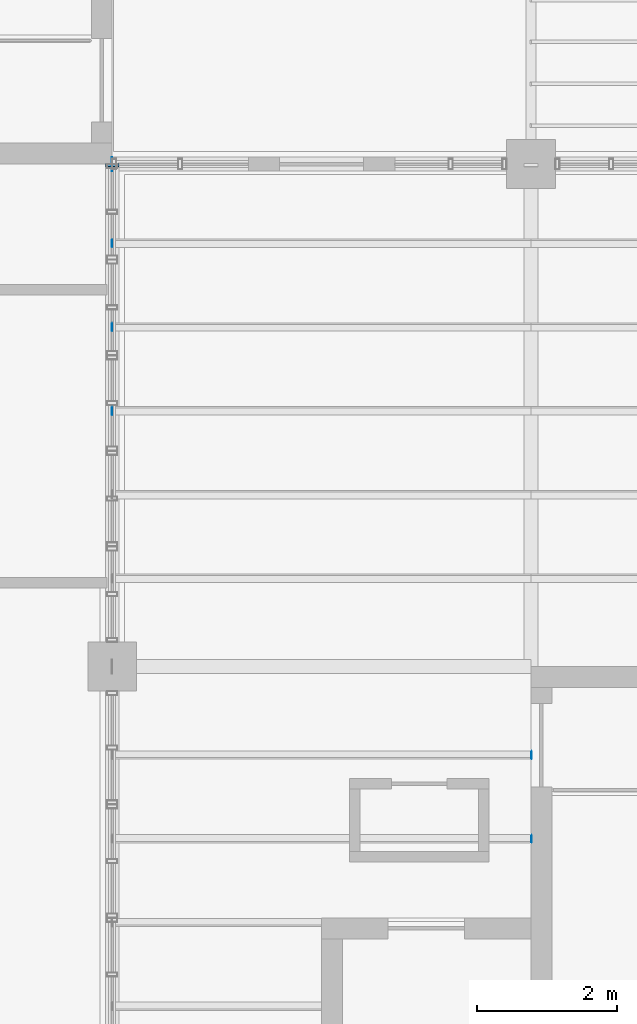
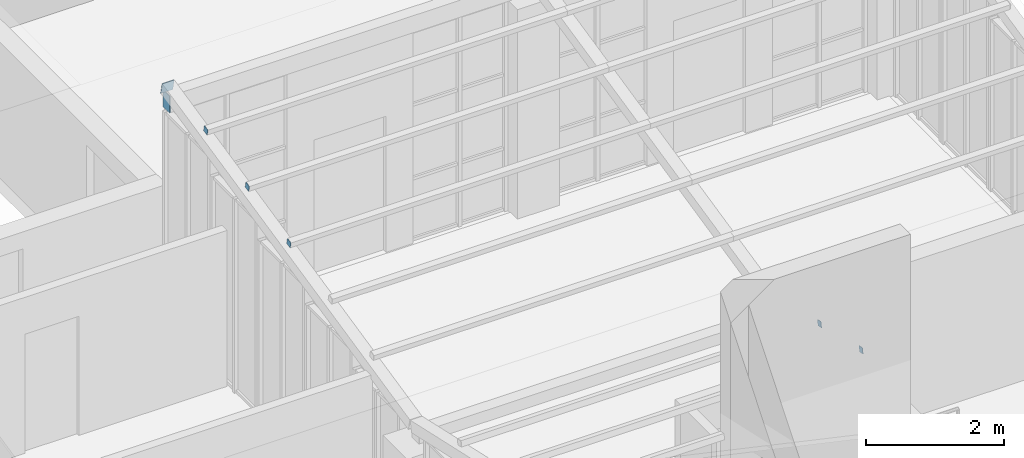
# One storey, part 43 of 51: 7 discrete accessories.
"""IFC4 building model written with IfcOpenShell, lengths in metres."""

from ifc_helpers import new_model, si_unit, direction, frame, origin, origin_2d, place, context, subcontext, project, spatial, rectangle, extrude, material, material_profile, profile_set, type_object, element, save


model = new_model("IFC4")

# Units and contexts
model_context = context("Model", 3, precision=1e-05, world=origin(), true_north=direction((0.0, 1.0)))
body_context = subcontext(model_context, "Body", "Model", "MODEL_VIEW")
ifc_project = project(units=[si_unit("LENGTHUNIT", "METRE"), si_unit("AREAUNIT", "SQUARE_METRE"), si_unit("VOLUMEUNIT", "CUBIC_METRE"), si_unit("PLANEANGLEUNIT", "RADIAN"), si_unit("MASSUNIT", "GRAM", prefix="KILO")], contexts=[model_context])

# Site, building, storey
site_placement = place(None, origin())
site = spatial("IfcSite", under=ifc_project, at=site_placement, CompositionType="ELEMENT")
building_placement = place(site_placement, origin())
building = spatial("IfcBuilding", under=site, at=building_placement, Name="Laocheng Heights Fire and Rescue Headquarters", CompositionType="ELEMENT")
storey_placement = place(building_placement, frame((0.0, 0.0, 21.0)))
storey = spatial("IfcBuildingStorey", under=building, at=storey_placement, Name="L05", CompositionType="ELEMENT", Elevation=21.0)

# Discrete accessories
ifc_material_1 = material(Name="Steel Q355B", Category="steel")
ifc_material_profile_1 = material_profile(ifc_material_1, rectangle(XDim=0.10009765625, YDim=0.10009765625, at=origin_2d()), Name="END CAP PLATE 100 x 100 x 8 FOR RHS 100x100x5 PURLIN")
ifc_profile_set_1 = profile_set([ifc_material_profile_1], Name="Steel Q355B")
discrete_accessory_type_1 = type_object("IfcDiscreteAccessoryType", Name="END CAP PLATE 100 x 100 x 8 FOR RHS 100x100x5 PURLIN", PredefinedType="BRACKET", material=ifc_profile_set_1)
for number, where, z_axis, x_axis, name in (
    (1, (95.991943359375, 46.864990234375, 3.507080078125), (1.0, 0.0, 0.0), (0.0, 0.976187089372, 0.216930326473), "Cap plate at Butterfly purlin N 3.6 end 1"),
    (2, (95.991943359375, 48.065185546875, 3.773681640625), (1.0, 0.0, 0.0), (0.0, 0.976187089372, 0.216930326473), "Cap plate at Butterfly purlin N 4.8 end 1"),
    (3, (95.991943359375, 49.26513671875, 4.04052734375), (1.0, 0.0, 0.0), (0.0, 0.976187089372, 0.216930326473), "Cap plate at Butterfly purlin N 6 end 1"),
    (4, (102.0, 41.934814453125, 2.973876953125), (1.0, 0.0, 0.0), (0.0, 0.976187089372, -0.216930326473), "Cap plate at Butterfly purlin S 1.2 end 2"),
    (5, (102.0, 40.73486328125, 3.240478515625), (1.0, 0.0, 0.0), (0.0, 0.976187089372, -0.216930326473), "Cap plate at Butterfly purlin S 2.4 end 2"),
):
    element("IfcDiscreteAccessory", number, at=place(storey_placement, frame(where, z_axis=z_axis, x_axis=x_axis)), inside=storey, type_object=discrete_accessory_type_1, Name=name, PredefinedType="BRACKET", context=body_context, shape_type="SweptSolid", body=[
        extrude(rectangle(XDim=0.10009765625, YDim=0.10009765625, at=origin_2d()), origin(), (0.0, 0.0, 1.0), 0.008056640625),
    ])
ifc_material_2 = material(Name="Steel Q355B", Category="steel")
ifc_material_profile_2 = material_profile(ifc_material_2, rectangle(XDim=0.199951171875, YDim=0.199951171875, at=origin_2d()), Name="END CAP PLATE 200 x 200 x 8 FOR SHS 200x200x8 RAFTER")
ifc_profile_set_2 = profile_set([ifc_material_profile_2], Name="Steel Q355B")
discrete_accessory_type_2 = type_object("IfcDiscreteAccessoryType", Name="END CAP PLATE 200 x 200 x 8 FOR SHS 200x200x8 RAFTER", PredefinedType="BRACKET", material=ifc_profile_set_2)
discrete_accessory_1_placement = place(storey_placement, frame((96.0, 50.385986328125, 4.135986328125), z_axis=(0.0, -0.975441002068, -0.220260871435), x_axis=(1.0, 0.0, 0.0)))
element("IfcDiscreteAccessory", 6, at=discrete_accessory_1_placement, inside=storey, type_object=discrete_accessory_type_2, Name="Cap plate at Butterfly rafter N 96 end 1", PredefinedType="BRACKET", context=body_context, shape_type="SweptSolid", body=[
    extrude(rectangle(XDim=0.199951171875, YDim=0.199951171875, at=origin_2d()), origin(), (0.0, 0.0, 1.0), 0.0078125),
])
ifc_material_3 = material(Name="Steel Q355B", Category="steel")
ifc_material_profile_3 = material_profile(ifc_material_3, rectangle(XDim=0.199951171875, YDim=0.300048828125, at=origin_2d()), Name="END CAP PLATE 200 x 300 x 10 FOR RHS 300x200x10 EAVE BEAM")
ifc_profile_set_3 = profile_set([ifc_material_profile_3], Name="Steel Q355B")
discrete_accessory_type_3 = type_object("IfcDiscreteAccessoryType", Name="END CAP PLATE 200 x 300 x 10 FOR RHS 300x200x10 EAVE BEAM", PredefinedType="BRACKET", material=ifc_profile_set_3)
discrete_accessory_2_placement = place(storey_placement, frame((95.989990234375, 50.39990234375, 3.864501953125), z_axis=(1.0, 0.0, 0.0), x_axis=(0.0, 1.0, 0.0)))
element("IfcDiscreteAccessory", 7, at=discrete_accessory_2_placement, inside=storey, type_object=discrete_accessory_type_3, Name="Cap plate at Butterfly eave beam N end 1", PredefinedType="BRACKET", context=body_context, shape_type="SweptSolid", body=[
    extrude(rectangle(XDim=0.199951171875, YDim=0.300048828125, at=origin_2d()), origin(), (0.0, 0.0, 1.0), 0.010009765625),
])

save(model, "model.ifc")
